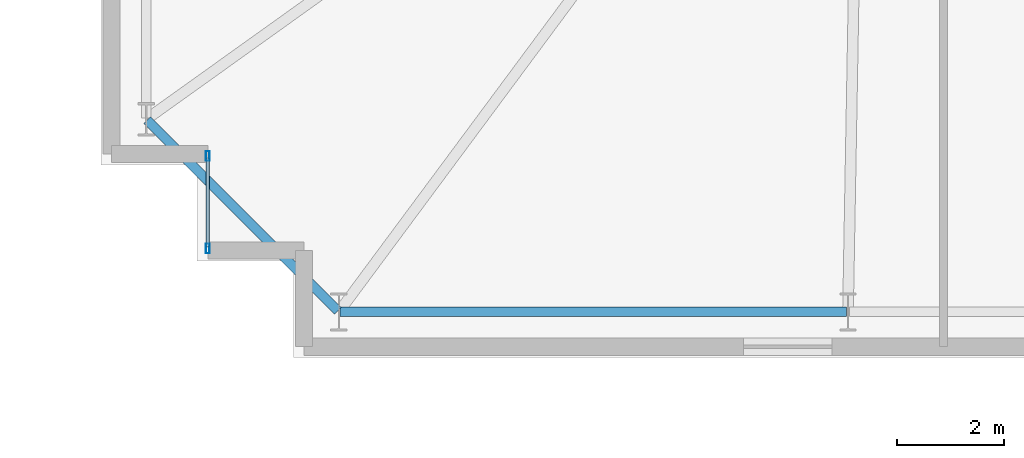
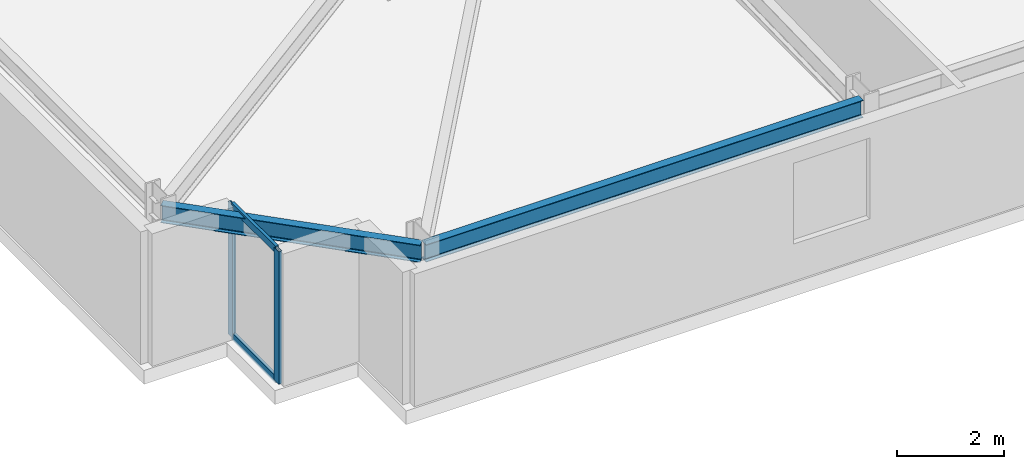
# One storey, part 4 of 24: 4 members, 2 beams, 1 element without a shape of its own.
"""IFC4 building model written with IfcOpenShell, lengths in metres."""

from ifc_helpers import new_model, si_unit, direction, frame, origin, origin_2d, place, context, subcontext, project, spatial, hollow_rectangle, i_section, extrude, material, layer, layer_set, material_profile, profile_set, type_object, element, aggregate, save


model = new_model("IFC4")

# Units and contexts
model_context = context("Model", 3, precision=1e-05, world=origin(), true_north=direction((0.0, 1.0)))
body_context = subcontext(model_context, "Body", "Model", "MODEL_VIEW")
ifc_project = project(units=[si_unit("LENGTHUNIT", "METRE"), si_unit("AREAUNIT", "SQUARE_METRE"), si_unit("VOLUMEUNIT", "CUBIC_METRE"), si_unit("PLANEANGLEUNIT", "RADIAN"), si_unit("MASSUNIT", "GRAM", prefix="KILO")], contexts=[model_context])

# Site, building, storey
site_placement = place(None, origin())
site = spatial("IfcSite", under=ifc_project, at=site_placement, CompositionType="ELEMENT")
building_placement = place(site_placement, origin())
building = spatial("IfcBuilding", under=site, at=building_placement, Name="Qobustan Lattice House", CompositionType="ELEMENT")
storey_placement = place(building_placement, frame((0.0, 0.0, 50.449951171875)))
storey = spatial("IfcBuildingStorey", under=building, at=storey_placement, Name="L13", CompositionType="ELEMENT", Elevation=50.449951171875)

# Beams
ifc_material_1 = material(Name="Steel S355", Category="steel")
ifc_material_profile_1 = material_profile(ifc_material_1, i_section(OverallWidth=0.179931640625, OverallDepth=0.39990234375, WebThickness=0.008544921875, FlangeThickness=0.013427734375, FilletRadius=0.02099609375, at=origin_2d()), Name="IPE400")
ifc_profile_set_1 = profile_set([ifc_material_profile_1], Name="Steel S355")
beam_type = type_object("IfcBeamType", Name="BM-SPD-IPE400", PredefinedType="SPANDREL", material=ifc_profile_set_1)
beam_1_placement = place(storey_placement, frame((-28.52490234375, -18.75, 2.8349609375), z_axis=(1.0, 0.0, 0.0), x_axis=(0.0, 1.0, 0.0)))
element("IfcBeam", 1, at=beam_1_placement, inside=storey, type_object=beam_type, Name="L13 perimeter spandrel S1-S2", PredefinedType="SPANDREL", context=body_context, shape_type="SweptSolid", body=[
    extrude(i_section(OverallWidth=0.179931640625, OverallDepth=0.39990234375, WebThickness=0.008544921875, FlangeThickness=0.013427734375, FilletRadius=0.02099609375, at=origin_2d()), origin(), (0.0, 0.0, 1.0), 9.466552734375),
])
beam_2_placement = place(storey_placement, frame((-32.13232421875, -15.167724609375, 2.8349609375), z_axis=(0.707106781187, -0.707106781187, 0.0), x_axis=(0.707106781187, 0.707106781187, 0.0)))
element("IfcBeam", 2, at=beam_2_placement, inside=storey, type_object=beam_type, Name="L13 perimeter spandrel W4-S1", PredefinedType="SPANDREL", context=body_context, shape_type="SweptSolid", body=[
    extrude(i_section(OverallWidth=0.179931640625, OverallDepth=0.39990234375, WebThickness=0.008544921875, FlangeThickness=0.013427734375, FilletRadius=0.02099609375, at=origin_2d()), origin(), (0.0, 0.0, 1.0), 5.041259765625),
])

# Curtain wall, members
ifc_material_2 = material(Name="Anodised aluminium and low-E glazing", Category="aluminium")
ifc_layer = layer(ifc_material_2, 0.219970703125)
ifc_layer_set = layer_set([ifc_layer], Name="Anodised aluminium and low-E glazing")
curtain_wall_type = type_object("IfcCurtainWallType", Name="CW-FAC-01", PredefinedType="USERDEFINED", material=ifc_layer_set)
curtain_wall_placement = place(storey_placement, origin())
curtain_wall = element("IfcCurtainWall", 3, at=curtain_wall_placement, inside=storey, type_object=curtain_wall_type, Name="L13 serrated corner faceted glazing 3", ObjectType="CURTAIN WALL", PredefinedType="USERDEFINED")
ifc_material_3 = material(Name="Anodised aluminium EN AW-6063 T6", Category="aluminium")
ifc_material_profile_2 = material_profile(ifc_material_3, hollow_rectangle(XDim=0.070068359375, YDim=0.179931640625, WallThickness=0.00439453125, at=origin_2d()), Name="CWM-180x70")
ifc_profile_set_2 = profile_set([ifc_material_profile_2], Name="Anodised aluminium EN AW-6063 T6")
member_type_1 = type_object("IfcMemberType", Name="CWM-STD-180", PredefinedType="MULLION", material=ifc_profile_set_2)
member_1_placement = place(storey_placement, frame((-31.0, -17.56494140625, 0.0), z_axis=(0.0, 0.0, 1.0), x_axis=(-1.0, 0.0, 0.0)))
member_1 = element("IfcMember", 4, at=member_1_placement, type_object=member_type_1, Name="CW-F1 mullion 1", PredefinedType="MULLION", context=body_context, shape_type="SweptSolid", body=[
    extrude(hollow_rectangle(XDim=0.070068359375, YDim=0.179931640625, WallThickness=0.00439453125, at=origin_2d()), origin(), (0.0, 0.0, 1.0), 3.03515625),
])
member_2_placement = place(storey_placement, frame((-31.0, -15.8349609375, 0.0), z_axis=(0.0, 0.0, 1.0), x_axis=(-1.0, 0.0, 0.0)))
member_2 = element("IfcMember", 5, at=member_2_placement, type_object=member_type_1, Name="CW-F1 mullion 2", PredefinedType="MULLION", context=body_context, shape_type="SweptSolid", body=[
    extrude(hollow_rectangle(XDim=0.070068359375, YDim=0.179931640625, WallThickness=0.00439453125, at=origin_2d()), origin(), (0.0, 0.0, 1.0), 3.03515625),
])
ifc_material_4 = material(Name="Anodised aluminium EN AW-6063 T6", Category="aluminium")
ifc_material_profile_3 = material_profile(ifc_material_4, hollow_rectangle(XDim=0.06494140625, YDim=0.159912109375, WallThickness=0.00390625, at=origin_2d()), Name="CWT-160x65")
ifc_profile_set_3 = profile_set([ifc_material_profile_3], Name="Anodised aluminium EN AW-6063 T6")
member_type_2 = type_object("IfcMemberType", Name="CWT-HOR-160", PredefinedType="USERDEFINED", material=ifc_profile_set_3)
member_3_placement = place(storey_placement, frame((-31.0, -17.530029296875, 0.032470703125), z_axis=(0.0, 1.0, 0.0), x_axis=(-1.0, 0.0, 0.0)))
member_3 = element("IfcMember", 6, at=member_3_placement, type_object=member_type_2, Name="CW-F1 transom 1.1", ObjectType="TRANSOM", PredefinedType="USERDEFINED", context=body_context, shape_type="SweptSolid", body=[
    extrude(hollow_rectangle(XDim=0.06494140625, YDim=0.159912109375, WallThickness=0.00390625, at=origin_2d()), origin(), (0.0, 0.0, 1.0), 1.659912109375),
])
member_4_placement = place(storey_placement, frame((-31.0, -17.530029296875, 3.00244140625), z_axis=(0.0, 1.0, 0.0), x_axis=(-1.0, 0.0, 0.0)))
member_4 = element("IfcMember", 7, at=member_4_placement, type_object=member_type_2, Name="CW-F1 transom 1.2", ObjectType="TRANSOM", PredefinedType="USERDEFINED", context=body_context, shape_type="SweptSolid", body=[
    extrude(hollow_rectangle(XDim=0.06494140625, YDim=0.159912109375, WallThickness=0.00390625, at=origin_2d()), origin(), (0.0, 0.0, 1.0), 1.659912109375),
])
aggregate(curtain_wall, [member_1, member_2, member_3, member_4])

save(model, "model.ifc")
